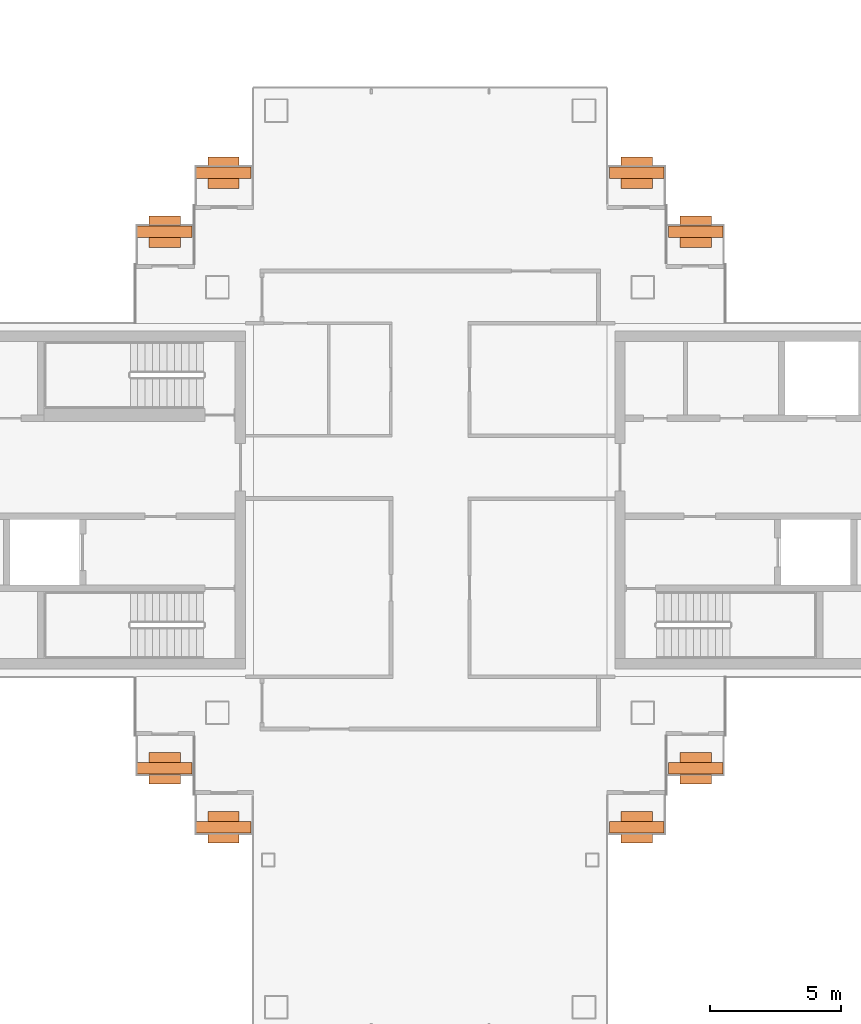
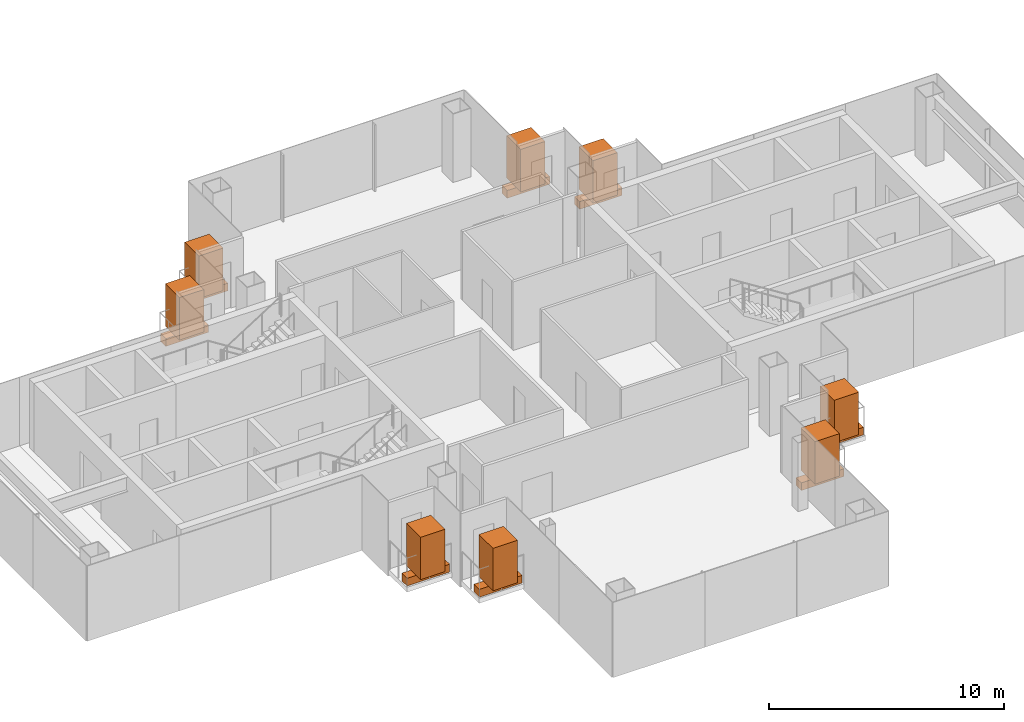
# One storey, part 17 of 17: 8 geographic elements, 8 proxies.
"""IFC4 building model written with IfcOpenShell, lengths in metres."""

from ifc_helpers import new_model, si_unit, direction, frame, origin, origin_2d, place, context, subcontext, project, spatial, rectangle, extrude, material, type_object, element, save


model = new_model("IFC4")

# Units and contexts
model_context = context("Model", 3, precision=1e-05, world=origin(), true_north=direction((0.0, 1.0)))
body_context = subcontext(model_context, "Body", "Model", "MODEL_VIEW")
ifc_project = project(units=[si_unit("LENGTHUNIT", "METRE"), si_unit("AREAUNIT", "SQUARE_METRE"), si_unit("VOLUMEUNIT", "CUBIC_METRE"), si_unit("PLANEANGLEUNIT", "RADIAN"), si_unit("MASSUNIT", "GRAM", prefix="KILO")], contexts=[model_context])

# Site, building, storey
site_placement = place(None, origin())
site = spatial("IfcSite", under=ifc_project, at=site_placement, CompositionType="ELEMENT")
building_placement = place(site_placement, origin())
building = spatial("IfcBuilding", under=site, at=building_placement, Name="Shamsa Quay Exchange Towers", CompositionType="ELEMENT")
storey_placement = place(building_placement, frame((0.0, 0.0, 249.89990234375)))
storey = spatial("IfcBuildingStorey", under=building, at=storey_placement, Name="L60", CompositionType="ELEMENT", Elevation=249.89990234375)

# Proxies
ifc_material_1 = material(Name="Reinforced concrete C30/37, black glass-fibre faced", Category="concrete")
building_element_proxy_type = type_object("IfcBuildingElementProxyType", Name="BALCONY PLANTER", PredefinedType="USERDEFINED", material=ifc_material_1)
for number, where, z_axis, x_axis, name in (
    (1, (-23.60595703125, 10.2451171875, 0.000244140625), (0.0, 0.0, 1.0), (-1.0, 0.0, 0.0), "PLANTER T1-PKEN L60"),
    (2, (-25.85595703125, 12.4951171875, 0.000244140625), (0.0, 0.0, 1.0), (-1.0, 0.0, 0.0), "PLANTER T1-PKEN L60"),
):
    element("IfcBuildingElementProxy", number, at=place(storey_placement, frame(where, z_axis=z_axis, x_axis=x_axis)), inside=storey, type_object=building_element_proxy_type, Name=name, ObjectType="PLANTER", PredefinedType="USERDEFINED", context=body_context, shape_type="SweptSolid", body=[
        extrude(rectangle(XDim=2.092041015625, YDim=0.449951171875, at=origin_2d()), origin(), (0.0, 0.0, 1.0), 0.39990234375),
    ])
for number, where, name in (
    (3, (-23.60595703125, -10.2451171875, 0.000244140625), "PLANTER T1-PKES L60"),
    (4, (-25.85595703125, -12.4951171875, 0.000244140625), "PLANTER T1-PKES L60"),
):
    element("IfcBuildingElementProxy", number, at=place(storey_placement, frame(where)), inside=storey, type_object=building_element_proxy_type, Name=name, ObjectType="PLANTER", PredefinedType="USERDEFINED", context=body_context, shape_type="SweptSolid", body=[
        extrude(rectangle(XDim=2.092041015625, YDim=0.449951171875, at=origin_2d()), origin(), (0.0, 0.0, 1.0), 0.39990234375),
    ])
for number, where, z_axis, x_axis, name in (
    (5, (-41.64404296875, 12.4951171875, 0.000244140625), (0.0, 0.0, 1.0), (-1.0, 0.0, 0.0), "PLANTER T1-PKWN L60"),
    (6, (-43.89404296875, 10.2451171875, 0.000244140625), (0.0, 0.0, 1.0), (-1.0, 0.0, 0.0), "PLANTER T1-PKWN L60"),
):
    element("IfcBuildingElementProxy", number, at=place(storey_placement, frame(where, z_axis=z_axis, x_axis=x_axis)), inside=storey, type_object=building_element_proxy_type, Name=name, ObjectType="PLANTER", PredefinedType="USERDEFINED", context=body_context, shape_type="SweptSolid", body=[
        extrude(rectangle(XDim=2.092041015625, YDim=0.449951171875, at=origin_2d()), origin(), (0.0, 0.0, 1.0), 0.39990234375),
    ])
for number, where, name in (
    (7, (-43.89404296875, -10.2451171875, 0.000244140625), "PLANTER T1-PKWS L60"),
    (8, (-41.64404296875, -12.4951171875, 0.000244140625), "PLANTER T1-PKWS L60"),
):
    element("IfcBuildingElementProxy", number, at=place(storey_placement, frame(where)), inside=storey, type_object=building_element_proxy_type, Name=name, ObjectType="PLANTER", PredefinedType="USERDEFINED", context=body_context, shape_type="SweptSolid", body=[
        extrude(rectangle(XDim=2.092041015625, YDim=0.449951171875, at=origin_2d()), origin(), (0.0, 0.0, 1.0), 0.39990234375),
    ])

# Geographic elements
ifc_material_2 = material(Name="Planting")
geographic_element_type = type_object("IfcGeographicElementType", Name="BALCONY TREE", PredefinedType="USERDEFINED", material=ifc_material_2)
for number, where, z_axis, x_axis, name in (
    (9, (-23.60595703125, 10.2451171875, 0.39990234375), (0.0, 0.0, 1.0), (-1.0, 0.0, 0.0), "TREE T1-PKEN L60"),
    (10, (-25.85595703125, 12.4951171875, 0.39990234375), (0.0, 0.0, 1.0), (-1.0, 0.0, 0.0), "TREE T1-PKEN L60"),
):
    element("IfcGeographicElement", number, at=place(storey_placement, frame(where, z_axis=z_axis, x_axis=x_axis)), inside=storey, type_object=geographic_element_type, Name=name, ObjectType="TREE", PredefinedType="USERDEFINED", context=body_context, shape_type="SweptSolid", body=[
        extrude(rectangle(XDim=1.199951171875, YDim=1.199951171875, at=origin_2d()), origin(), (0.0, 0.0, 1.0), 2.199951171875),
    ])
for number, where, name in (
    (11, (-23.60595703125, -10.2451171875, 0.39990234375), "TREE T1-PKES L60"),
    (12, (-25.85595703125, -12.4951171875, 0.39990234375), "TREE T1-PKES L60"),
):
    element("IfcGeographicElement", number, at=place(storey_placement, frame(where)), inside=storey, type_object=geographic_element_type, Name=name, ObjectType="TREE", PredefinedType="USERDEFINED", context=body_context, shape_type="SweptSolid", body=[
        extrude(rectangle(XDim=1.199951171875, YDim=1.199951171875, at=origin_2d()), origin(), (0.0, 0.0, 1.0), 2.199951171875),
    ])
for number, where, z_axis, x_axis, name in (
    (13, (-41.64404296875, 12.4951171875, 0.39990234375), (0.0, 0.0, 1.0), (-1.0, 0.0, 0.0), "TREE T1-PKWN L60"),
    (14, (-43.89404296875, 10.2451171875, 0.39990234375), (0.0, 0.0, 1.0), (-1.0, 0.0, 0.0), "TREE T1-PKWN L60"),
):
    element("IfcGeographicElement", number, at=place(storey_placement, frame(where, z_axis=z_axis, x_axis=x_axis)), inside=storey, type_object=geographic_element_type, Name=name, ObjectType="TREE", PredefinedType="USERDEFINED", context=body_context, shape_type="SweptSolid", body=[
        extrude(rectangle(XDim=1.199951171875, YDim=1.199951171875, at=origin_2d()), origin(), (0.0, 0.0, 1.0), 2.199951171875),
    ])
for number, where, name in (
    (15, (-43.89404296875, -10.2451171875, 0.39990234375), "TREE T1-PKWS L60"),
    (16, (-41.64404296875, -12.4951171875, 0.39990234375), "TREE T1-PKWS L60"),
):
    element("IfcGeographicElement", number, at=place(storey_placement, frame(where)), inside=storey, type_object=geographic_element_type, Name=name, ObjectType="TREE", PredefinedType="USERDEFINED", context=body_context, shape_type="SweptSolid", body=[
        extrude(rectangle(XDim=1.199951171875, YDim=1.199951171875, at=origin_2d()), origin(), (0.0, 0.0, 1.0), 2.199951171875),
    ])

save(model, "model.ifc")
